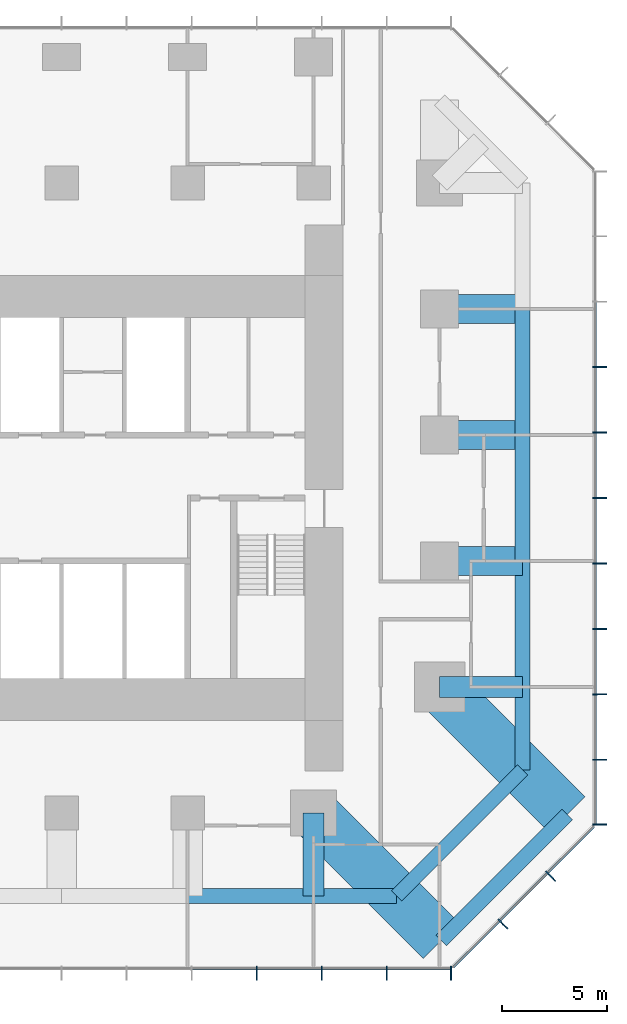
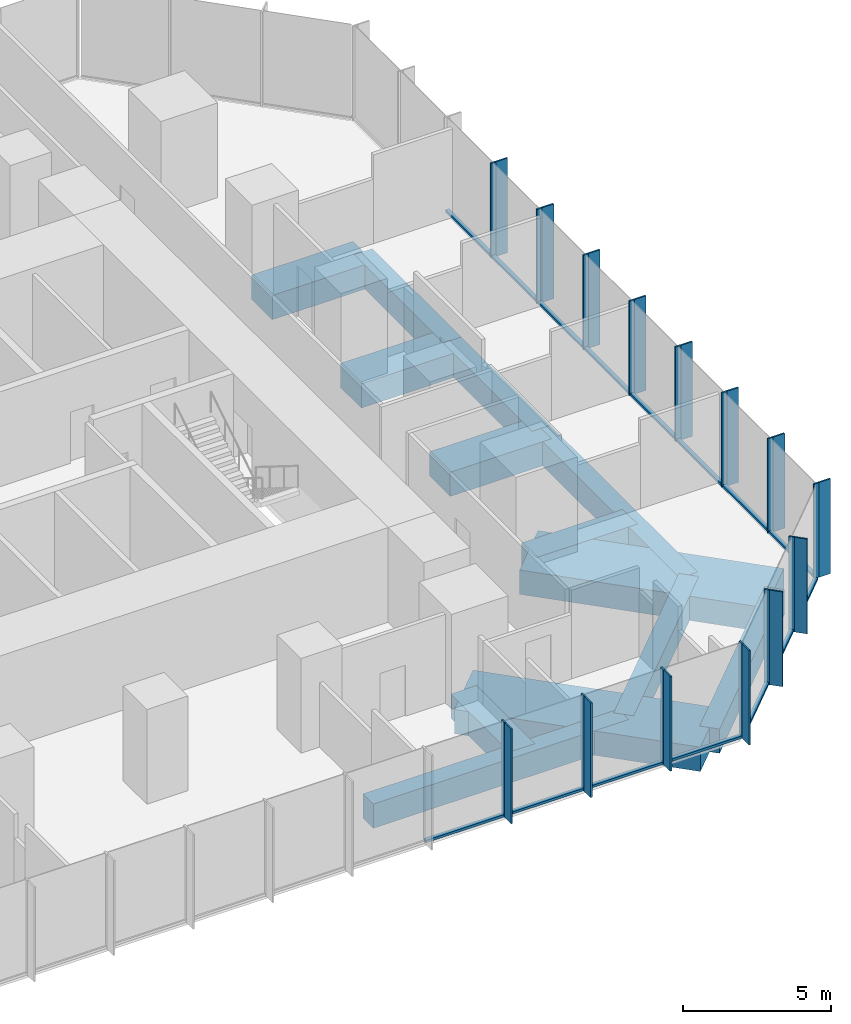
# One storey, part 4 of 11: 43 members, 13 beams, 3 elements without a shape of their own.
"""IFC4 building model written with IfcOpenShell, lengths in metres."""

from ifc_helpers import new_model, si_unit, direction, frame, origin, origin_2d, place, context, subcontext, project, spatial, rectangle, extrude, material, layer, layer_set, material_profile, profile_set, type_object, element, aggregate, save


model = new_model("IFC4")

# Units and contexts
model_context = context("Model", 3, precision=1e-05, world=origin(), true_north=direction((0.0, 1.0)))
body_context = subcontext(model_context, "Body", "Model", "MODEL_VIEW")
ifc_project = project(units=[si_unit("LENGTHUNIT", "METRE"), si_unit("AREAUNIT", "SQUARE_METRE"), si_unit("VOLUMEUNIT", "CUBIC_METRE"), si_unit("PLANEANGLEUNIT", "RADIAN"), si_unit("MASSUNIT", "GRAM", prefix="KILO")], contexts=[model_context])

# Site, building, storey
site_placement = place(None, origin())
site = spatial("IfcSite", under=ifc_project, at=site_placement, CompositionType="ELEMENT")
building_placement = place(site_placement, origin())
building = spatial("IfcBuilding", under=site, at=building_placement, Name="Highveld Stack Headquarters", CompositionType="ELEMENT")
storey_placement = place(building_placement, frame((0.0, 0.0, 152.300048828125)))
storey = spatial("IfcBuildingStorey", under=building, at=storey_placement, Name="L37", CompositionType="ELEMENT", Elevation=152.300048828125)

# Beams
ifc_material_1 = material(Name="Concrete C60/75", Category="concrete")
ifc_material_profile_1 = material_profile(ifc_material_1, rectangle(XDim=1.0, YDim=1.0, at=origin_2d()), Name="RC 1000x1000")
ifc_profile_set_1 = profile_set([ifc_material_profile_1], Name="Concrete C60/75")
beam_type_1 = type_object("IfcBeamType", Name="CANTILEVER RIB RC 1000x1000", PredefinedType="USERDEFINED", material=ifc_profile_set_1)
for number, where, z_axis, x_axis, name in (
    (1, (18.0, -12.0, -0.75), (0.0, -1.0, 0.0), (1.0, 0.0, 0.0), "Cantilever rib 9/C L37"),
    (2, (24.0, -6.0, -0.75), (1.0, 0.0, 0.0), (0.0, 1.0, 0.0), "Cantilever rib 10/D L37"),
):
    element("IfcBeam", number, at=place(storey_placement, frame(where, z_axis=z_axis, x_axis=x_axis)), inside=storey, type_object=beam_type_1, Name=name, ObjectType="CANTILEVER RIB", PredefinedType="USERDEFINED", context=body_context, shape_type="SweptSolid", body=[
        extrude(rectangle(XDim=1.0, YDim=1.0, at=origin_2d()), origin(), (0.0, 0.0, 1.0), 3.949951171875),
    ])
ifc_material_2 = material(Name="Concrete C60/75", Category="concrete")
ifc_material_profile_2 = material_profile(ifc_material_2, rectangle(XDim=1.39990234375, YDim=1.0, at=origin_2d()), Name="RC 1400x1000")
ifc_profile_set_2 = profile_set([ifc_material_profile_2], Name="Concrete C60/75")
beam_type_2 = type_object("IfcBeamType", Name="CANTILEVER RIB RC 1400x1000", PredefinedType="USERDEFINED", material=ifc_profile_set_2)
for number, where, z_axis, x_axis, name in (
    (3, (24.0, 0.0, -0.75), (1.0, 0.0, 0.0), (0.0, 1.0, 0.0), "Cantilever rib 10/E L37"),
    (4, (24.0, 6.0, -0.75), (1.0, 0.0, 0.0), (0.0, 1.0, 0.0), "Cantilever rib 10/F L37"),
    (5, (24.0, 12.0, -0.75), (1.0, 0.0, 0.0), (0.0, 1.0, 0.0), "Cantilever rib 10/G L37"),
):
    element("IfcBeam", number, at=place(storey_placement, frame(where, z_axis=z_axis, x_axis=x_axis)), inside=storey, type_object=beam_type_2, Name=name, ObjectType="CANTILEVER RIB", PredefinedType="USERDEFINED", context=body_context, shape_type="SweptSolid", body=[
        extrude(rectangle(XDim=1.39990234375, YDim=1.0, at=origin_2d()), origin(), (0.0, 0.0, 1.0), 3.949951171875),
    ])
ifc_material_3 = material(Name="Concrete C60/75", Category="concrete")
ifc_material_profile_3 = material_profile(ifc_material_3, rectangle(XDim=2.39990234375, YDim=1.0, at=origin_2d()), Name="RC 2400x1000")
ifc_profile_set_3 = profile_set([ifc_material_profile_3], Name="Concrete C60/75")
beam_type_3 = type_object("IfcBeamType", Name="CANTILEVER RIB RC 2400x1000", PredefinedType="USERDEFINED", material=ifc_profile_set_3)
for number, where, z_axis, x_axis, name in (
    (6, (18.0, -12.0, -0.75), (0.707106781187, -0.707106781187, 0.0), (0.707106781187, 0.707106781187, 0.0), "Cantilever rib 9/C L37"),
    (7, (24.0, -6.0, -0.75), (0.707106781187, -0.707106781187, 0.0), (0.707106781187, 0.707106781187, 0.0), "Cantilever rib 10/D L37"),
):
    element("IfcBeam", number, at=place(storey_placement, frame(where, z_axis=z_axis, x_axis=x_axis)), inside=storey, type_object=beam_type_3, Name=name, ObjectType="CANTILEVER RIB", PredefinedType="USERDEFINED", context=body_context, shape_type="SweptSolid", body=[
        extrude(rectangle(XDim=2.39990234375, YDim=1.0, at=origin_2d()), origin(), (0.0, 0.0, 1.0), 8.585693359375),
    ])

# Curtain wall, members
ifc_material_4 = material(Name="Aluminium bronze anodised", Category="aluminium")
ifc_layer_1 = layer(ifc_material_4, 0.199951171875)
ifc_layer_set_1 = layer_set([ifc_layer_1], Name="Aluminium bronze anodised")
curtain_wall_type_1 = type_object("IfcCurtainWallType", Name="CW1 TOWER UNITISED CURTAIN WALL", PredefinedType="NOTDEFINED", material=ifc_layer_set_1)
curtain_wall_1_placement = place(storey_placement, origin())
curtain_wall_1 = element("IfcCurtainWall", 8, at=curtain_wall_1_placement, inside=storey, type_object=curtain_wall_type_1, Name="Curtain wall CW1 L37 S", PredefinedType="NOTDEFINED")
ifc_material_5 = material(Name="Aluminium bronze anodised", Category="aluminium")
ifc_material_profile_4 = material_profile(ifc_material_5, rectangle(XDim=0.449951171875, YDim=0.06005859375, at=origin_2d()), Name="FIN 450x60")
ifc_profile_set_4 = profile_set([ifc_material_profile_4], Name="Aluminium bronze anodised")
member_type_1 = type_object("IfcMemberType", Name="CW1 BRONZE FIN 450x60", PredefinedType="USERDEFINED", material=ifc_profile_set_4)
member_1_placement = place(storey_placement, frame((15.289794921875, -19.72509765625, 0.0), z_axis=(0.0, 0.0, 1.0), x_axis=(0.0, 1.0, 0.0)))
member_1 = element("IfcMember", 9, at=member_1_placement, type_object=member_type_1, Name="CW1 fin L37 10", ObjectType="FIN", PredefinedType="USERDEFINED", context=body_context, shape_type="SweptSolid", body=[
    extrude(rectangle(XDim=0.449951171875, YDim=0.06005859375, at=origin_2d()), origin(), (0.0, 0.0, 1.0), 3.89990234375),
])
member_2_placement = place(storey_placement, frame((18.38671875, -19.72509765625, 0.0), z_axis=(0.0, 0.0, 1.0), x_axis=(0.0, 1.0, 0.0)))
member_2 = element("IfcMember", 10, at=member_2_placement, type_object=member_type_1, Name="CW1 fin L37 11", ObjectType="FIN", PredefinedType="USERDEFINED", context=body_context, shape_type="SweptSolid", body=[
    extrude(rectangle(XDim=0.449951171875, YDim=0.06005859375, at=origin_2d()), origin(), (0.0, 0.0, 1.0), 3.89990234375),
])
member_3_placement = place(storey_placement, frame((21.483154296875, -19.72509765625, 0.0), z_axis=(0.0, 0.0, 1.0), x_axis=(0.0, 1.0, 0.0)))
member_3 = element("IfcMember", 11, at=member_3_placement, type_object=member_type_1, Name="CW1 fin L37 12", ObjectType="FIN", PredefinedType="USERDEFINED", context=body_context, shape_type="SweptSolid", body=[
    extrude(rectangle(XDim=0.449951171875, YDim=0.06005859375, at=origin_2d()), origin(), (0.0, 0.0, 1.0), 3.89990234375),
])
member_4_placement = place(storey_placement, frame((24.54736328125, -19.72509765625, 0.0), z_axis=(0.0, 0.0, 1.0), x_axis=(0.0, 1.0, 0.0)))
member_4 = element("IfcMember", 12, at=member_4_placement, type_object=member_type_1, Name="CW1 fin L37 13", ObjectType="FIN", PredefinedType="USERDEFINED", context=body_context, shape_type="SweptSolid", body=[
    extrude(rectangle(XDim=0.449951171875, YDim=0.06005859375, at=origin_2d()), origin(), (0.0, 0.0, 1.0), 3.89990234375),
])

curtain_wall_2_placement = place(storey_placement, origin())
curtain_wall_2 = element("IfcCurtainWall", 13, at=curtain_wall_2_placement, inside=storey, type_object=curtain_wall_type_1, Name="Curtain wall CW1 L37 E", PredefinedType="NOTDEFINED")
member_5_placement = place(storey_placement, frame((31.72509765625, -12.54736328125, 0.0), z_axis=(0.0, 0.0, 1.0), x_axis=(-1.0, 0.0, 0.0)))
member_5 = element("IfcMember", 14, at=member_5_placement, type_object=member_type_1, Name="CW1 fin L37 1", ObjectType="FIN", PredefinedType="USERDEFINED", context=body_context, shape_type="SweptSolid", body=[
    extrude(rectangle(XDim=0.449951171875, YDim=0.06005859375, at=origin_2d()), origin(), (0.0, 0.0, 1.0), 3.89990234375),
])
member_6_placement = place(storey_placement, frame((31.72509765625, -9.4638671875, 0.0), z_axis=(0.0, 0.0, 1.0), x_axis=(-1.0, 0.0, 0.0)))
member_6 = element("IfcMember", 15, at=member_6_placement, type_object=member_type_1, Name="CW1 fin L37 2", ObjectType="FIN", PredefinedType="USERDEFINED", context=body_context, shape_type="SweptSolid", body=[
    extrude(rectangle(XDim=0.449951171875, YDim=0.06005859375, at=origin_2d()), origin(), (0.0, 0.0, 1.0), 3.89990234375),
])
member_7_placement = place(storey_placement, frame((31.72509765625, -6.347900390625, 0.0), z_axis=(0.0, 0.0, 1.0), x_axis=(-1.0, 0.0, 0.0)))
member_7 = element("IfcMember", 16, at=member_7_placement, type_object=member_type_1, Name="CW1 fin L37 3", ObjectType="FIN", PredefinedType="USERDEFINED", context=body_context, shape_type="SweptSolid", body=[
    extrude(rectangle(XDim=0.449951171875, YDim=0.06005859375, at=origin_2d()), origin(), (0.0, 0.0, 1.0), 3.89990234375),
])
member_8_placement = place(storey_placement, frame((31.72509765625, -3.23193359375, 0.0), z_axis=(0.0, 0.0, 1.0), x_axis=(-1.0, 0.0, 0.0)))
member_8 = element("IfcMember", 17, at=member_8_placement, type_object=member_type_1, Name="CW1 fin L37 4", ObjectType="FIN", PredefinedType="USERDEFINED", context=body_context, shape_type="SweptSolid", body=[
    extrude(rectangle(XDim=0.449951171875, YDim=0.06005859375, at=origin_2d()), origin(), (0.0, 0.0, 1.0), 3.89990234375),
])
member_9_placement = place(storey_placement, frame((31.72509765625, -0.115966796875, 0.0), z_axis=(0.0, 0.0, 1.0), x_axis=(-1.0, 0.0, 0.0)))
member_9 = element("IfcMember", 18, at=member_9_placement, type_object=member_type_1, Name="CW1 fin L37 5", ObjectType="FIN", PredefinedType="USERDEFINED", context=body_context, shape_type="SweptSolid", body=[
    extrude(rectangle(XDim=0.449951171875, YDim=0.06005859375, at=origin_2d()), origin(), (0.0, 0.0, 1.0), 3.89990234375),
])
member_10_placement = place(storey_placement, frame((31.72509765625, 3.0, 0.0), z_axis=(0.0, 0.0, 1.0), x_axis=(-1.0, 0.0, 0.0)))
member_10 = element("IfcMember", 19, at=member_10_placement, type_object=member_type_1, Name="CW1 fin L37 6", ObjectType="FIN", PredefinedType="USERDEFINED", context=body_context, shape_type="SweptSolid", body=[
    extrude(rectangle(XDim=0.449951171875, YDim=0.06005859375, at=origin_2d()), origin(), (0.0, 0.0, 1.0), 3.89990234375),
])
member_11_placement = place(storey_placement, frame((31.72509765625, 6.115966796875, 0.0), z_axis=(0.0, 0.0, 1.0), x_axis=(-1.0, 0.0, 0.0)))
member_11 = element("IfcMember", 20, at=member_11_placement, type_object=member_type_1, Name="CW1 fin L37 7", ObjectType="FIN", PredefinedType="USERDEFINED", context=body_context, shape_type="SweptSolid", body=[
    extrude(rectangle(XDim=0.449951171875, YDim=0.06005859375, at=origin_2d()), origin(), (0.0, 0.0, 1.0), 3.89990234375),
])
member_12_placement = place(storey_placement, frame((31.72509765625, 9.23193359375, 0.0), z_axis=(0.0, 0.0, 1.0), x_axis=(-1.0, 0.0, 0.0)))
member_12 = element("IfcMember", 21, at=member_12_placement, type_object=member_type_1, Name="CW1 fin L37 8", ObjectType="FIN", PredefinedType="USERDEFINED", context=body_context, shape_type="SweptSolid", body=[
    extrude(rectangle(XDim=0.449951171875, YDim=0.06005859375, at=origin_2d()), origin(), (0.0, 0.0, 1.0), 3.89990234375),
])

# Member
ifc_material_6 = material(Name="Aluminium bronze anodised", Category="aluminium")
ifc_material_profile_5 = material_profile(ifc_material_6, rectangle(XDim=0.199951171875, YDim=0.06494140625, at=origin_2d()), Name="CW1 MULLION 65x200")
ifc_profile_set_5 = profile_set([ifc_material_profile_5], Name="Aluminium bronze anodised")
member_type_2 = type_object("IfcMemberType", Name="CW1 MULLION 65x200", PredefinedType="MULLION", material=ifc_profile_set_5)
member_13_placement = place(storey_placement, frame((15.289794921875, -19.39990234375, 0.0), z_axis=(0.0, 0.0, 1.0), x_axis=(0.0, 1.0, 0.0)))
member_13 = element("IfcMember", 22, at=member_13_placement, type_object=member_type_2, Name="CW1 mullion L37 10", PredefinedType="MULLION", context=body_context, shape_type="SweptSolid", body=[
    extrude(rectangle(XDim=0.199951171875, YDim=0.06494140625, at=origin_2d()), origin(), (0.0, 0.0, 1.0), 3.89990234375),
])

member_14_placement = place(storey_placement, frame((18.38671875, -19.39990234375, 0.0), z_axis=(0.0, 0.0, 1.0), x_axis=(0.0, 1.0, 0.0)))
member_14 = element("IfcMember", 23, at=member_14_placement, type_object=member_type_2, Name="CW1 mullion L37 11", PredefinedType="MULLION", context=body_context, shape_type="SweptSolid", body=[
    extrude(rectangle(XDim=0.199951171875, YDim=0.06494140625, at=origin_2d()), origin(), (0.0, 0.0, 1.0), 3.89990234375),
])

member_15_placement = place(storey_placement, frame((21.483154296875, -19.39990234375, 0.0), z_axis=(0.0, 0.0, 1.0), x_axis=(0.0, 1.0, 0.0)))
member_15 = element("IfcMember", 24, at=member_15_placement, type_object=member_type_2, Name="CW1 mullion L37 12", PredefinedType="MULLION", context=body_context, shape_type="SweptSolid", body=[
    extrude(rectangle(XDim=0.199951171875, YDim=0.06494140625, at=origin_2d()), origin(), (0.0, 0.0, 1.0), 3.89990234375),
])

member_16_placement = place(storey_placement, frame((24.54736328125, -19.39990234375, 0.0), z_axis=(0.0, 0.0, 1.0), x_axis=(0.0, 1.0, 0.0)))
member_16 = element("IfcMember", 25, at=member_16_placement, type_object=member_type_2, Name="CW1 mullion L37 13", PredefinedType="MULLION", context=body_context, shape_type="SweptSolid", body=[
    extrude(rectangle(XDim=0.199951171875, YDim=0.06494140625, at=origin_2d()), origin(), (0.0, 0.0, 1.0), 3.89990234375),
])

member_17_placement = place(storey_placement, frame((31.39990234375, -12.54736328125, 0.0), z_axis=(0.0, 0.0, 1.0), x_axis=(-1.0, 0.0, 0.0)))
member_17 = element("IfcMember", 26, at=member_17_placement, type_object=member_type_2, Name="CW1 mullion L37 1", PredefinedType="MULLION", context=body_context, shape_type="SweptSolid", body=[
    extrude(rectangle(XDim=0.199951171875, YDim=0.06494140625, at=origin_2d()), origin(), (0.0, 0.0, 1.0), 3.89990234375),
])

member_18_placement = place(storey_placement, frame((31.39990234375, -9.4638671875, 0.0), z_axis=(0.0, 0.0, 1.0), x_axis=(-1.0, 0.0, 0.0)))
member_18 = element("IfcMember", 27, at=member_18_placement, type_object=member_type_2, Name="CW1 mullion L37 2", PredefinedType="MULLION", context=body_context, shape_type="SweptSolid", body=[
    extrude(rectangle(XDim=0.199951171875, YDim=0.06494140625, at=origin_2d()), origin(), (0.0, 0.0, 1.0), 3.89990234375),
])

member_19_placement = place(storey_placement, frame((31.39990234375, -6.347900390625, 0.0), z_axis=(0.0, 0.0, 1.0), x_axis=(-1.0, 0.0, 0.0)))
member_19 = element("IfcMember", 28, at=member_19_placement, type_object=member_type_2, Name="CW1 mullion L37 3", PredefinedType="MULLION", context=body_context, shape_type="SweptSolid", body=[
    extrude(rectangle(XDim=0.199951171875, YDim=0.06494140625, at=origin_2d()), origin(), (0.0, 0.0, 1.0), 3.89990234375),
])

member_20_placement = place(storey_placement, frame((31.39990234375, -3.23193359375, 0.0), z_axis=(0.0, 0.0, 1.0), x_axis=(-1.0, 0.0, 0.0)))
member_20 = element("IfcMember", 29, at=member_20_placement, type_object=member_type_2, Name="CW1 mullion L37 4", PredefinedType="MULLION", context=body_context, shape_type="SweptSolid", body=[
    extrude(rectangle(XDim=0.199951171875, YDim=0.06494140625, at=origin_2d()), origin(), (0.0, 0.0, 1.0), 3.89990234375),
])

member_21_placement = place(storey_placement, frame((31.39990234375, -0.115966796875, 0.0), z_axis=(0.0, 0.0, 1.0), x_axis=(-1.0, 0.0, 0.0)))
member_21 = element("IfcMember", 30, at=member_21_placement, type_object=member_type_2, Name="CW1 mullion L37 5", PredefinedType="MULLION", context=body_context, shape_type="SweptSolid", body=[
    extrude(rectangle(XDim=0.199951171875, YDim=0.06494140625, at=origin_2d()), origin(), (0.0, 0.0, 1.0), 3.89990234375),
])

member_22_placement = place(storey_placement, frame((31.39990234375, 3.0, 0.0), z_axis=(0.0, 0.0, 1.0), x_axis=(-1.0, 0.0, 0.0)))
member_22 = element("IfcMember", 31, at=member_22_placement, type_object=member_type_2, Name="CW1 mullion L37 6", PredefinedType="MULLION", context=body_context, shape_type="SweptSolid", body=[
    extrude(rectangle(XDim=0.199951171875, YDim=0.06494140625, at=origin_2d()), origin(), (0.0, 0.0, 1.0), 3.89990234375),
])

member_23_placement = place(storey_placement, frame((31.39990234375, 6.115966796875, 0.0), z_axis=(0.0, 0.0, 1.0), x_axis=(-1.0, 0.0, 0.0)))
member_23 = element("IfcMember", 32, at=member_23_placement, type_object=member_type_2, Name="CW1 mullion L37 7", PredefinedType="MULLION", context=body_context, shape_type="SweptSolid", body=[
    extrude(rectangle(XDim=0.199951171875, YDim=0.06494140625, at=origin_2d()), origin(), (0.0, 0.0, 1.0), 3.89990234375),
])

member_24_placement = place(storey_placement, frame((31.39990234375, 9.23193359375, 0.0), z_axis=(0.0, 0.0, 1.0), x_axis=(-1.0, 0.0, 0.0)))
member_24 = element("IfcMember", 33, at=member_24_placement, type_object=member_type_2, Name="CW1 mullion L37 8", PredefinedType="MULLION", context=body_context, shape_type="SweptSolid", body=[
    extrude(rectangle(XDim=0.199951171875, YDim=0.06494140625, at=origin_2d()), origin(), (0.0, 0.0, 1.0), 3.89990234375),
])

ifc_material_7 = material(Name="Aluminium bronze anodised", Category="aluminium")
ifc_material_profile_6 = material_profile(ifc_material_7, rectangle(XDim=0.14990234375, YDim=0.10009765625, at=origin_2d()), Name="CW1 TRANSOM 150x100")
ifc_profile_set_6 = profile_set([ifc_material_profile_6], Name="Aluminium bronze anodised")
member_type_3 = type_object("IfcMemberType", Name="CW1 STACK TRANSOM 150x100", PredefinedType="USERDEFINED", material=ifc_profile_set_6)
member_25_placement = place(storey_placement, frame((12.225830078125, -19.39990234375, 0.050048828125), z_axis=(1.0, 0.0, 0.0), x_axis=(0.0, 1.0, 0.0)))
member_25 = element("IfcMember", 34, at=member_25_placement, type_object=member_type_3, Name="CW1 transom L37 9.1", ObjectType="TRANSOM", PredefinedType="USERDEFINED", context=body_context, shape_type="SweptSolid", body=[
    extrude(rectangle(XDim=0.14990234375, YDim=0.10009765625, at=origin_2d()), origin(), (0.0, 0.0, 1.0), 3.03173828125),
])

member_26_placement = place(storey_placement, frame((15.322509765625, -19.39990234375, 0.050048828125), z_axis=(1.0, 0.0, 0.0), x_axis=(0.0, 1.0, 0.0)))
member_26 = element("IfcMember", 35, at=member_26_placement, type_object=member_type_3, Name="CW1 transom L37 10.1", ObjectType="TRANSOM", PredefinedType="USERDEFINED", context=body_context, shape_type="SweptSolid", body=[
    extrude(rectangle(XDim=0.14990234375, YDim=0.10009765625, at=origin_2d()), origin(), (0.0, 0.0, 1.0), 3.031494140625),
])

member_27_placement = place(storey_placement, frame((18.419189453125, -19.39990234375, 0.050048828125), z_axis=(1.0, 0.0, 0.0), x_axis=(0.0, 1.0, 0.0)))
member_27 = element("IfcMember", 36, at=member_27_placement, type_object=member_type_3, Name="CW1 transom L37 11.1", ObjectType="TRANSOM", PredefinedType="USERDEFINED", context=body_context, shape_type="SweptSolid", body=[
    extrude(rectangle(XDim=0.14990234375, YDim=0.10009765625, at=origin_2d()), origin(), (0.0, 0.0, 1.0), 3.031494140625),
])

member_28_placement = place(storey_placement, frame((21.515625, -19.39990234375, 0.050048828125), z_axis=(1.0, 0.0, 0.0), x_axis=(0.0, 1.0, 0.0)))
member_28 = element("IfcMember", 37, at=member_28_placement, type_object=member_type_3, Name="CW1 transom L37 12.1", ObjectType="TRANSOM", PredefinedType="USERDEFINED", context=body_context, shape_type="SweptSolid", body=[
    extrude(rectangle(XDim=0.14990234375, YDim=0.10009765625, at=origin_2d()), origin(), (0.0, 0.0, 1.0), 2.999267578125),
])

aggregate(curtain_wall_1, [member_13, member_1, member_14, member_2, member_15, member_3, member_16, member_4, member_25, member_26, member_27, member_28])

member_29_placement = place(storey_placement, frame((31.39990234375, -12.514892578125, 0.050048828125), z_axis=(0.0, 1.0, 0.0), x_axis=(-1.0, 0.0, 0.0)))
member_29 = element("IfcMember", 38, at=member_29_placement, type_object=member_type_3, Name="CW1 transom L37 1.1", ObjectType="TRANSOM", PredefinedType="USERDEFINED", context=body_context, shape_type="SweptSolid", body=[
    extrude(rectangle(XDim=0.14990234375, YDim=0.10009765625, at=origin_2d()), origin(), (0.0, 0.0, 1.0), 3.0185546875),
])

member_30_placement = place(storey_placement, frame((31.39990234375, -9.431396484375, 0.050048828125), z_axis=(0.0, 1.0, 0.0), x_axis=(-1.0, 0.0, 0.0)))
member_30 = element("IfcMember", 39, at=member_30_placement, type_object=member_type_3, Name="CW1 transom L37 2.1", ObjectType="TRANSOM", PredefinedType="USERDEFINED", context=body_context, shape_type="SweptSolid", body=[
    extrude(rectangle(XDim=0.14990234375, YDim=0.10009765625, at=origin_2d()), origin(), (0.0, 0.0, 1.0), 3.051025390625),
])

member_31_placement = place(storey_placement, frame((31.39990234375, -6.3154296875, 0.050048828125), z_axis=(0.0, 1.0, 0.0), x_axis=(-1.0, 0.0, 0.0)))
member_31 = element("IfcMember", 40, at=member_31_placement, type_object=member_type_3, Name="CW1 transom L37 3.1", ObjectType="TRANSOM", PredefinedType="USERDEFINED", context=body_context, shape_type="SweptSolid", body=[
    extrude(rectangle(XDim=0.14990234375, YDim=0.10009765625, at=origin_2d()), origin(), (0.0, 0.0, 1.0), 3.051025390625),
])

member_32_placement = place(storey_placement, frame((31.39990234375, -3.199462890625, 0.050048828125), z_axis=(0.0, 1.0, 0.0), x_axis=(-1.0, 0.0, 0.0)))
member_32 = element("IfcMember", 41, at=member_32_placement, type_object=member_type_3, Name="CW1 transom L37 4.1", ObjectType="TRANSOM", PredefinedType="USERDEFINED", context=body_context, shape_type="SweptSolid", body=[
    extrude(rectangle(XDim=0.14990234375, YDim=0.10009765625, at=origin_2d()), origin(), (0.0, 0.0, 1.0), 3.051025390625),
])

member_33_placement = place(storey_placement, frame((31.39990234375, -0.08349609375, 0.050048828125), z_axis=(0.0, 1.0, 0.0), x_axis=(-1.0, 0.0, 0.0)))
member_33 = element("IfcMember", 42, at=member_33_placement, type_object=member_type_3, Name="CW1 transom L37 5.1", ObjectType="TRANSOM", PredefinedType="USERDEFINED", context=body_context, shape_type="SweptSolid", body=[
    extrude(rectangle(XDim=0.14990234375, YDim=0.10009765625, at=origin_2d()), origin(), (0.0, 0.0, 1.0), 3.051025390625),
])

member_34_placement = place(storey_placement, frame((31.39990234375, 3.032470703125, 0.050048828125), z_axis=(0.0, 1.0, 0.0), x_axis=(-1.0, 0.0, 0.0)))
member_34 = element("IfcMember", 43, at=member_34_placement, type_object=member_type_3, Name="CW1 transom L37 6.1", ObjectType="TRANSOM", PredefinedType="USERDEFINED", context=body_context, shape_type="SweptSolid", body=[
    extrude(rectangle(XDim=0.14990234375, YDim=0.10009765625, at=origin_2d()), origin(), (0.0, 0.0, 1.0), 3.051025390625),
])

member_35_placement = place(storey_placement, frame((31.39990234375, 6.1484375, 0.050048828125), z_axis=(0.0, 1.0, 0.0), x_axis=(-1.0, 0.0, 0.0)))
member_35 = element("IfcMember", 44, at=member_35_placement, type_object=member_type_3, Name="CW1 transom L37 7.1", ObjectType="TRANSOM", PredefinedType="USERDEFINED", context=body_context, shape_type="SweptSolid", body=[
    extrude(rectangle(XDim=0.14990234375, YDim=0.10009765625, at=origin_2d()), origin(), (0.0, 0.0, 1.0), 3.051025390625),
])

member_36_placement = place(storey_placement, frame((31.39990234375, 9.264404296875, 0.050048828125), z_axis=(0.0, 1.0, 0.0), x_axis=(-1.0, 0.0, 0.0)))
member_36 = element("IfcMember", 45, at=member_36_placement, type_object=member_type_3, Name="CW1 transom L37 8.1", ObjectType="TRANSOM", PredefinedType="USERDEFINED", context=body_context, shape_type="SweptSolid", body=[
    extrude(rectangle(XDim=0.14990234375, YDim=0.10009765625, at=origin_2d()), origin(), (0.0, 0.0, 1.0), 3.051025390625),
])

aggregate(curtain_wall_2, [member_17, member_5, member_18, member_6, member_19, member_7, member_20, member_8, member_21, member_9, member_22, member_10, member_23, member_11, member_24, member_12, member_29, member_30, member_31, member_32, member_33, member_34, member_35, member_36])

# Curtain wall, members
ifc_material_8 = material(Name="Aluminium bronze anodised", Category="aluminium")
ifc_layer_2 = layer(ifc_material_8, 0.199951171875)
ifc_layer_set_2 = layer_set([ifc_layer_2], Name="Aluminium bronze anodised")
curtain_wall_type_2 = type_object("IfcCurtainWallType", Name="CW2 TOWER CHAMFER UNITISED CURTAIN WALL", PredefinedType="NOTDEFINED", material=ifc_layer_set_2)
curtain_wall_3_placement = place(storey_placement, origin())
curtain_wall_3 = element("IfcCurtainWall", 46, at=curtain_wall_3_placement, inside=storey, type_object=curtain_wall_type_2, Name="Curtain wall CW2 L37 SE", PredefinedType="NOTDEFINED")
ifc_material_9 = material(Name="Aluminium bronze anodised", Category="aluminium")
ifc_material_profile_7 = material_profile(ifc_material_9, rectangle(XDim=0.449951171875, YDim=0.06005859375, at=origin_2d()), Name="FIN 450x60")
ifc_profile_set_7 = profile_set([ifc_material_profile_7], Name="Aluminium bronze anodised")
member_type_4 = type_object("IfcMemberType", Name="CW2 BRONZE FIN 450x60", PredefinedType="USERDEFINED", material=ifc_profile_set_7)
member_37_placement = place(storey_placement, frame((27.0830078125, -17.3564453125, 0.0), z_axis=(0.0, 0.0, 1.0), x_axis=(-0.707106781187, 0.707106781187, 0.0)))
member_37 = element("IfcMember", 47, at=member_37_placement, type_object=member_type_4, Name="CW2 fin L37 1", ObjectType="FIN", PredefinedType="USERDEFINED", context=body_context, shape_type="SweptSolid", body=[
    extrude(rectangle(XDim=0.449951171875, YDim=0.06005859375, at=origin_2d()), origin(), (0.0, 0.0, 1.0), 3.89990234375),
])
member_38_placement = place(storey_placement, frame((29.3564453125, -15.0830078125, 0.0), z_axis=(0.0, 0.0, 1.0), x_axis=(-0.707106781187, 0.707106781187, 0.0)))
member_38 = element("IfcMember", 48, at=member_38_placement, type_object=member_type_4, Name="CW2 fin L37 2", ObjectType="FIN", PredefinedType="USERDEFINED", context=body_context, shape_type="SweptSolid", body=[
    extrude(rectangle(XDim=0.449951171875, YDim=0.06005859375, at=origin_2d()), origin(), (0.0, 0.0, 1.0), 3.89990234375),
])
ifc_material_10 = material(Name="Aluminium bronze anodised", Category="aluminium")
ifc_material_profile_8 = material_profile(ifc_material_10, rectangle(XDim=0.199951171875, YDim=0.06494140625, at=origin_2d()), Name="CW2 MULLION 65x200")
ifc_profile_set_8 = profile_set([ifc_material_profile_8], Name="Aluminium bronze anodised")
member_type_5 = type_object("IfcMemberType", Name="CW2 MULLION 65x200", PredefinedType="MULLION", material=ifc_profile_set_8)
member_39_placement = place(storey_placement, frame((26.853271484375, -17.126708984375, 0.0), z_axis=(0.0, 0.0, 1.0), x_axis=(-0.707106781187, 0.707106781187, 0.0)))
member_39 = element("IfcMember", 49, at=member_39_placement, type_object=member_type_5, Name="CW2 mullion L37 1", PredefinedType="MULLION", context=body_context, shape_type="SweptSolid", body=[
    extrude(rectangle(XDim=0.199951171875, YDim=0.06494140625, at=origin_2d()), origin(), (0.0, 0.0, 1.0), 3.89990234375),
])
member_40_placement = place(storey_placement, frame((29.126708984375, -14.853271484375, 0.0), z_axis=(0.0, 0.0, 1.0), x_axis=(-0.707106781187, 0.707106781187, 0.0)))
member_40 = element("IfcMember", 50, at=member_40_placement, type_object=member_type_5, Name="CW2 mullion L37 2", PredefinedType="MULLION", context=body_context, shape_type="SweptSolid", body=[
    extrude(rectangle(XDim=0.199951171875, YDim=0.06494140625, at=origin_2d()), origin(), (0.0, 0.0, 1.0), 3.89990234375),
])
ifc_material_11 = material(Name="Aluminium bronze anodised", Category="aluminium")
ifc_material_profile_9 = material_profile(ifc_material_11, rectangle(XDim=0.14990234375, YDim=0.10009765625, at=origin_2d()), Name="CW2 TRANSOM 150x100")
ifc_profile_set_9 = profile_set([ifc_material_profile_9], Name="Aluminium bronze anodised")
member_type_6 = type_object("IfcMemberType", Name="CW2 STACK TRANSOM 150x100", PredefinedType="USERDEFINED", material=ifc_profile_set_9)
member_41_placement = place(storey_placement, frame((24.650634765625, -19.329345703125, 0.050048828125), z_axis=(0.707106781187, 0.707106781187, 0.0), x_axis=(-0.707106781187, 0.707106781187, 0.0)))
member_41 = element("IfcMember", 51, at=member_41_placement, type_object=member_type_6, Name="CW2 transom L37 1.1", ObjectType="TRANSOM", PredefinedType="USERDEFINED", context=body_context, shape_type="SweptSolid", body=[
    extrude(rectangle(XDim=0.14990234375, YDim=0.10009765625, at=origin_2d()), origin(), (0.0, 0.0, 1.0), 3.08251953125),
])
member_42_placement = place(storey_placement, frame((26.876220703125, -17.103759765625, 0.050048828125), z_axis=(0.707106781187, 0.707106781187, 0.0), x_axis=(-0.707106781187, 0.707106781187, 0.0)))
member_42 = element("IfcMember", 52, at=member_42_placement, type_object=member_type_6, Name="CW2 transom L37 2.1", ObjectType="TRANSOM", PredefinedType="USERDEFINED", context=body_context, shape_type="SweptSolid", body=[
    extrude(rectangle(XDim=0.14990234375, YDim=0.10009765625, at=origin_2d()), origin(), (0.0, 0.0, 1.0), 3.150146484375),
])
member_43_placement = place(storey_placement, frame((29.149658203125, -14.830322265625, 0.050048828125), z_axis=(0.707106781187, 0.707106781187, 0.0), x_axis=(-0.707106781187, 0.707106781187, 0.0)))
member_43 = element("IfcMember", 53, at=member_43_placement, type_object=member_type_6, Name="CW2 transom L37 3.1", ObjectType="TRANSOM", PredefinedType="USERDEFINED", context=body_context, shape_type="SweptSolid", body=[
    extrude(rectangle(XDim=0.14990234375, YDim=0.10009765625, at=origin_2d()), origin(), (0.0, 0.0, 1.0), 3.08251953125),
])
aggregate(curtain_wall_3, [member_39, member_37, member_40, member_38, member_41, member_42, member_43])

# Beams
ifc_material_12 = material(Name="Concrete C60/75", Category="concrete")
ifc_material_profile_10 = material_profile(ifc_material_12, rectangle(XDim=0.699951171875, YDim=1.0, at=origin_2d()), Name="RC 700x1000")
ifc_profile_set_10 = profile_set([ifc_material_profile_10], Name="Concrete C60/75")
beam_type_4 = type_object("IfcBeamType", Name="RIB TIP BEAM RC 700x1000", PredefinedType="SPANDREL", material=ifc_profile_set_10)
beam_1_placement = place(storey_placement, frame((27.949951171875, -9.949951171875, -0.75), z_axis=(0.0, 1.0, 0.0), x_axis=(-1.0, 0.0, 0.0)))
element("IfcBeam", 54, at=beam_1_placement, inside=storey, type_object=beam_type_4, Name="Rib tip beam 10/D to 10/E L37", PredefinedType="SPANDREL", context=body_context, shape_type="SweptSolid", body=[
    extrude(rectangle(XDim=0.699951171875, YDim=1.0, at=origin_2d()), origin(), (0.0, 0.0, 1.0), 9.949951171875),
])
for number, where, z_axis, x_axis, name in (
    (55, (27.949951171875, 0.0, -0.75), (0.0, 1.0, 0.0), (-1.0, 0.0, 0.0), "Rib tip beam 10/E to 10/F L37"),
    (56, (27.949951171875, 6.0, -0.75), (0.0, 1.0, 0.0), (-1.0, 0.0, 0.0), "Rib tip beam 10/F to 10/G L37"),
):
    element("IfcBeam", number, at=place(storey_placement, frame(where, z_axis=z_axis, x_axis=x_axis)), inside=storey, type_object=beam_type_4, Name=name, PredefinedType="SPANDREL", context=body_context, shape_type="SweptSolid", body=[
        extrude(rectangle(XDim=0.699951171875, YDim=1.0, at=origin_2d()), origin(), (0.0, 0.0, 1.0), 6.0),
    ])
beam_2_placement = place(storey_placement, frame((12.0, -15.949951171875, -0.75), z_axis=(1.0, 0.0, 0.0), x_axis=(0.0, 1.0, 0.0)))
element("IfcBeam", 57, at=beam_2_placement, inside=storey, type_object=beam_type_4, Name="Rib tip beam 8/C to 9/C L37", PredefinedType="SPANDREL", context=body_context, shape_type="SweptSolid", body=[
    extrude(rectangle(XDim=0.699951171875, YDim=1.0, at=origin_2d()), origin(), (0.0, 0.0, 1.0), 9.949951171875),
])
for number, where, z_axis, x_axis, name in (
    (58, (21.949951171875, -15.949951171875, -0.75), (0.707106781187, 0.707106781187, 0.0), (-0.707106781187, 0.707106781187, 0.0), "Rib tip beam 9/C to 10/D chamfer L37"),
    (59, (24.071044921875, -18.071044921875, -0.75), (0.707106781187, 0.707106781187, 0.0), (-0.707106781187, 0.707106781187, 0.0), "Rib tip beam 9/C to 10/D chamfer edge L37"),
):
    element("IfcBeam", number, at=place(storey_placement, frame(where, z_axis=z_axis, x_axis=x_axis)), inside=storey, type_object=beam_type_4, Name=name, PredefinedType="SPANDREL", context=body_context, shape_type="SweptSolid", body=[
        extrude(rectangle(XDim=0.699951171875, YDim=1.0, at=origin_2d()), origin(), (0.0, 0.0, 1.0), 8.4853515625),
    ])

save(model, "model.ifc")
